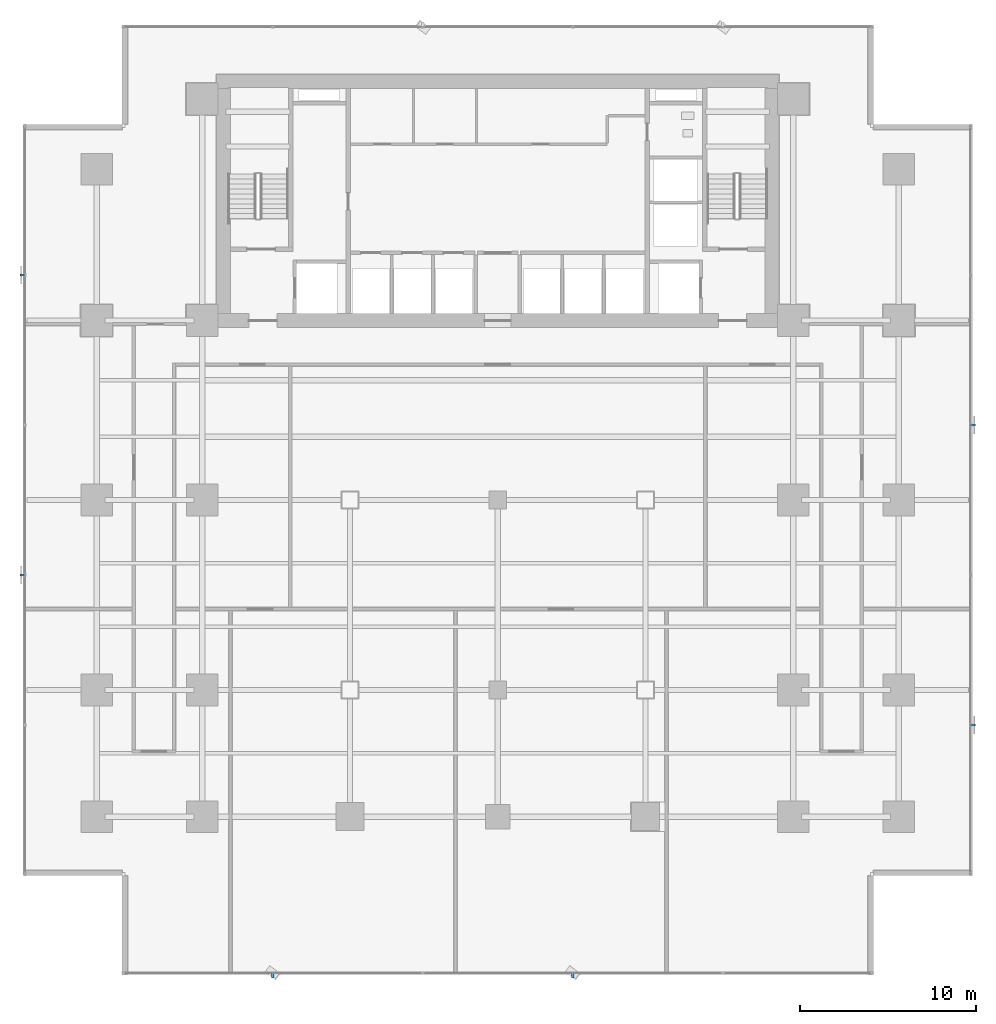
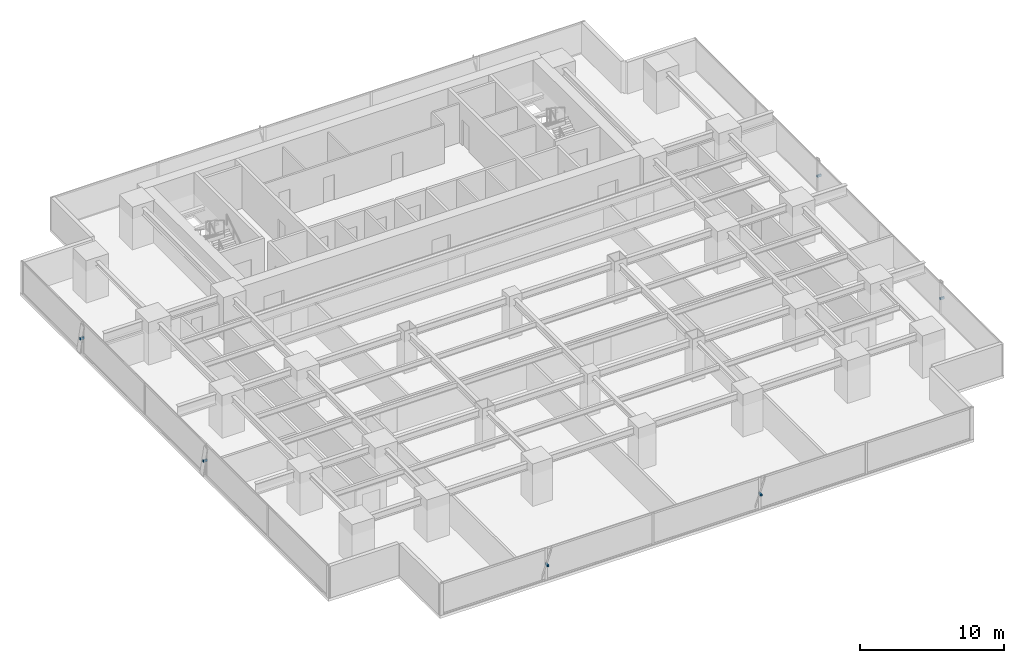
# One storey, part 27 of 33: 6 discrete accessories.
"""IFC4 building model written with IfcOpenShell, lengths in metres."""

from ifc_helpers import new_model, si_unit, direction, frame, origin, origin_2d, place, context, subcontext, project, spatial, rectangle, extrude, source, transform, mapped, material, material_profile, profile_set, type_object, element, save


model = new_model("IFC4")

# Units and contexts
model_context = context("Model", 3, precision=1e-05, world=origin(), true_north=direction((0.0, 1.0)))
body_context = subcontext(model_context, "Body", "Model", "MODEL_VIEW")
ifc_project = project(units=[si_unit("LENGTHUNIT", "METRE"), si_unit("AREAUNIT", "SQUARE_METRE"), si_unit("VOLUMEUNIT", "CUBIC_METRE"), si_unit("PLANEANGLEUNIT", "RADIAN"), si_unit("MASSUNIT", "GRAM", prefix="KILO")], contexts=[model_context])

# Site, building, storey
site_placement = place(None, origin())
site = spatial("IfcSite", under=ifc_project, at=site_placement, CompositionType="ELEMENT")
building_placement = place(site_placement, origin())
building = spatial("IfcBuilding", under=site, at=building_placement, Name="Sumidabori Civic Tower", CompositionType="ELEMENT")
storey_placement = place(building_placement, frame((0.0, 0.0, 66.800048828125)))
storey = spatial("IfcBuildingStorey", under=building, at=storey_placement, Name="L17", CompositionType="ELEMENT", Elevation=66.800048828125)

# Discrete accessories
ifc_material = material(Name="Stainless Steel Hairline Finish", Category="steel")
ifc_material_profile = material_profile(ifc_material, rectangle(XDim=0.1201171875, YDim=0.179931640625, at=origin_2d()), Name="STEEL BRACKET 180x120")
ifc_profile_set = profile_set([ifc_material_profile], Name="Stainless Steel Hairline Finish")
discrete_accessory_type = type_object("IfcDiscreteAccessoryType", Name="AC-BRK-180", PredefinedType="BRACKET", material=ifc_profile_set)
shared_shape = source(origin(), body_context, "Body", "SweptSolid", [
    extrude(rectangle(XDim=0.1201171875, YDim=0.179931640625, at=origin_2d()), origin(), (0.0, 0.0, 1.0), 0.329833984375),
])
for number, where, z_axis, x_axis, name in (
    (1, (-12.7919921875, -26.830078125, 1.329833984375), (0.0, -1.0, 0.0), (1.0, 0.0, 0.0), "Bronze Fin Fixing Bracket L17-01"),
    (2, (4.263916015625, -26.830078125, 1.329833984375), (0.0, -1.0, 0.0), (1.0, 0.0, 0.0), "Bronze Fin Fixing Bracket L17-03"),
    (3, (26.830078125, -12.7919921875, 1.329833984375), (1.0, 0.0, 0.0), (0.0, 1.0, 0.0), "Bronze Fin Fixing Bracket L17-01"),
    (4, (26.830078125, 4.263916015625, 1.329833984375), (1.0, 0.0, 0.0), (0.0, 1.0, 0.0), "Bronze Fin Fixing Bracket L17-03"),
    (5, (-26.830078125, 12.7919921875, 1.329833984375), (-1.0, 0.0, 0.0), (0.0, -1.0, 0.0), "Bronze Fin Fixing Bracket L17-01"),
    (6, (-26.830078125, -4.263916015625, 1.329833984375), (-1.0, 0.0, 0.0), (0.0, -1.0, 0.0), "Bronze Fin Fixing Bracket L17-03"),
):
    element("IfcDiscreteAccessory", number, at=place(storey_placement, frame(where, z_axis=z_axis, x_axis=x_axis)), inside=storey, type_object=discrete_accessory_type, Name=name, PredefinedType="BRACKET", context=body_context, shape_type="MappedRepresentation", body=[
        mapped(shared_shape, transform((0.0, 0.0, 0.0), x_axis=(1.0, 0.0, 0.0), y_axis=(0.0, 1.0, 0.0), z_axis=(0.0, 0.0, 1.0), scale=1.0)),
    ])

save(model, "model.ifc")
